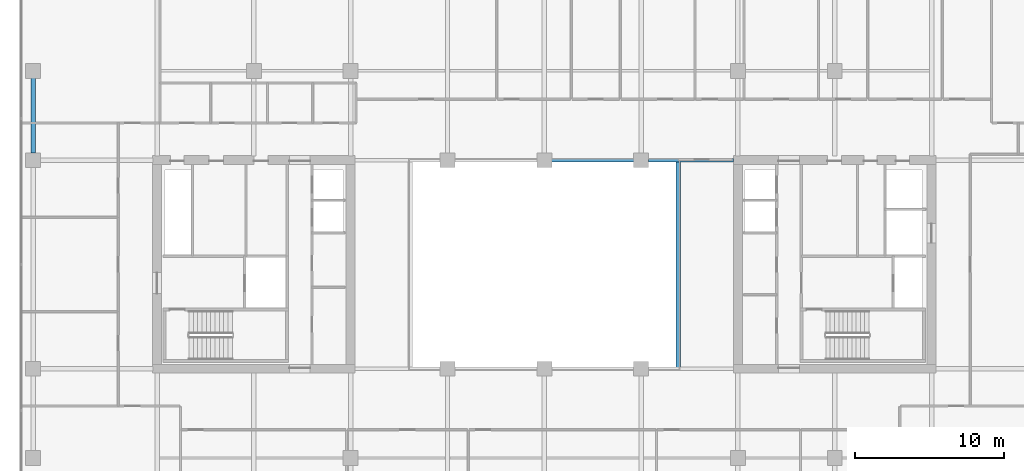
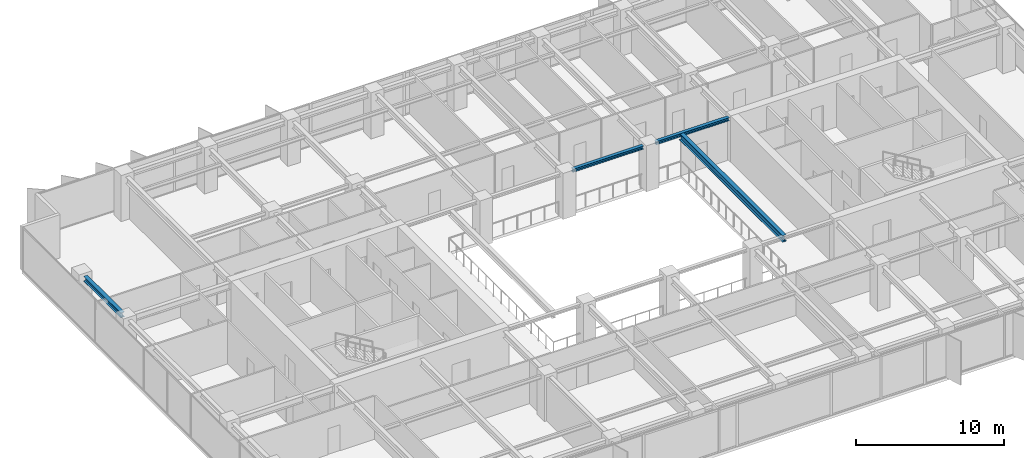
# One storey, part 7 of 22: 4 beams.
"""IFC4 building model written with IfcOpenShell, lengths in metres."""

import ifcopenshell
import ifcopenshell.guid

model = None  # the IFC model being written
_history = None  # IfcOwnerHistory: only IFC2X3 demands one
_inside = {}  # id of a spatial element -> (the spatial element, [elements in it])
_under = {}  # id of a project, library or spatial element -> (it, [spatial elements below it])
_declared = {}  # id of a project -> (the project, [libraries it declares])
_typed = {}  # id of a type object -> (the type object, [elements of that type])
_made_of = {}  # id of a material, layer set ... -> (it, [elements and type objects made of it])


def new_model(schema):
    """Start an empty IFC model of exactly this schema.

    Asked for "IFC4X3", IfcOpenShell would pick the latest addendum, in which some entities
    have other attributes; the version numbers below select the first issue.
    IFC2X3 requires an IfcOwnerHistory on every rooted entity: one is made here for all.
    """
    global model, _history
    if schema == "IFC4X3":
        model = ifcopenshell.file(schema_version=(4, 3, 0, 0))
    else:
        model = ifcopenshell.file(schema=schema)
    _inside.clear()
    _under.clear()
    _declared.clear()
    _typed.clear()
    _made_of.clear()
    _history = None
    if model.schema == "IFC2X3":
        org = make("IfcOrganization", Name="unknown")
        user = make(
            "IfcPersonAndOrganization",
            ThePerson=make("IfcPerson", FamilyName="unknown"),
            TheOrganization=org,
        )
        app = make(
            "IfcApplication",
            ApplicationDeveloper=org,
            Version="unknown",
            ApplicationFullName="unknown",
            ApplicationIdentifier="unknown",
        )
        _history = make(
            "IfcOwnerHistory",
            OwningUser=user,
            OwningApplication=app,
            ChangeAction="ADDED",
            CreationDate=0,
        )
    return model


def make(cls, **values):
    """One entity of the class cls with the attributes given. An attribute that is None is left unset."""
    return model.create_entity(
        cls, **{name: value for name, value in values.items() if value is not None}
    )


def rooted(cls, **values):
    """An entity with a GlobalId (a new one), such as an element, a storey or a relation."""
    return make(cls, GlobalId=ifcopenshell.guid.new(), OwnerHistory=_history, **values)


def si_unit(unit_type, name, prefix=None):
    """IfcSIUnit, for example si_unit("LENGTHUNIT", "METRE", prefix="MILLI")."""
    return make("IfcSIUnit", UnitType=unit_type, Prefix=prefix, Name=name)


def assignment(units):
    """IfcUnitAssignment: the units of a project."""
    return None if units is None else make("IfcUnitAssignment", Units=units)


def point(xyz):
    """IfcCartesianPoint."""
    return None if xyz is None else make("IfcCartesianPoint", Coordinates=xyz)


def direction(xyz):
    """IfcDirection."""
    return None if xyz is None else make("IfcDirection", DirectionRatios=xyz)


def frame(location, z_axis=None, x_axis=None):
    """IfcAxis2Placement3D, a coordinate frame: its origin and axes. An axis left out is left unset."""
    return make(
        "IfcAxis2Placement3D",
        Location=point(location),
        Axis=direction(z_axis),
        RefDirection=direction(x_axis),
    )


def frame_2d(location, x_axis=None):
    """IfcAxis2Placement2D, a coordinate frame in the plane: its origin and x axis."""
    return make(
        "IfcAxis2Placement2D", Location=point(location), RefDirection=direction(x_axis)
    )


def origin():
    """The frame at (0, 0, 0) with its axes left unset."""
    return frame((0.0, 0.0, 0.0))


def origin_2d():
    """The frame at (0, 0) in the plane with its x axis left unset."""
    return frame_2d((0.0, 0.0))


def place(relative_to, where):
    """IfcLocalPlacement: puts the frame where relative to a parent placement (None: the world)."""
    return make(
        "IfcLocalPlacement", PlacementRelTo=relative_to, RelativePlacement=where
    )


def context(
    kind, dimensions, precision=None, world=None, true_north=None, identifier=None
):
    """IfcGeometricRepresentationContext, for example the 3D "Model" context."""
    return make(
        "IfcGeometricRepresentationContext",
        ContextIdentifier=identifier,
        ContextType=kind,
        CoordinateSpaceDimension=dimensions,
        Precision=precision,
        WorldCoordinateSystem=world,
        TrueNorth=true_north,
    )


def subcontext(parent, identifier, kind, view, scale=None):
    """IfcGeometricRepresentationSubContext, for example "Body" below "Model"."""
    return make(
        "IfcGeometricRepresentationSubContext",
        ContextIdentifier=identifier,
        ContextType=kind,
        ParentContext=parent,
        TargetScale=scale,
        TargetView=view,
    )


def project(units=None, contexts=None):
    """IfcProject with its units and contexts."""
    return rooted(
        "IfcProject",
        Name="project",
        RepresentationContexts=contexts,
        UnitsInContext=assignment(units),
    )


def spatial(cls, under=None, at=None, **own):
    """A site, building, storey or space (cls), placed at a placement, below another one or the project."""
    s = rooted(cls, ObjectPlacement=at, **own)
    if under is not None:
        _under.setdefault(under.id(), (under, []))[1].append(s)
    return s


def profile(cls, at=None, kind="AREA", **sizes):
    """A parametric profile (cls). Its sizes go by their IFC names, for example OverallWidth=200.0."""
    return make(cls, ProfileType=kind, Position=at, **sizes)


def i_section(**sizes):
    """IfcIShapeProfileDef."""
    return profile("IfcIShapeProfileDef", **sizes)


def extrude(swept, where, along, depth):
    """IfcExtrudedAreaSolid: the profile swept, set in the frame where, extruded along a direction by depth."""
    return make(
        "IfcExtrudedAreaSolid",
        SweptArea=swept,
        Position=where,
        ExtrudedDirection=direction(along),
        Depth=depth,
    )


def shape(context_of_items, identifier, shape_type, items):
    """IfcShapeRepresentation: the items that make up one representation, for example the "Body"."""
    return make(
        "IfcShapeRepresentation",
        ContextOfItems=context_of_items,
        RepresentationIdentifier=identifier,
        RepresentationType=shape_type,
        Items=items,
    )


def material(Name=None, Category=None):
    """IfcMaterial."""
    return make("IfcMaterial", Name=Name, Category=Category)


def material_profile(
    of_material, cross_section, Name=None, Category=None, Priority=None
):
    """IfcMaterialProfile: a cross section and its material."""
    return make(
        "IfcMaterialProfile",
        Name=Name,
        Material=of_material,
        Profile=cross_section,
        Priority=Priority,
        Category=Category,
    )


def profile_set(profiles, Name=None, composite=None):
    """IfcMaterialProfileSet."""
    return make(
        "IfcMaterialProfileSet",
        Name=Name,
        MaterialProfiles=profiles,
        CompositeProfile=composite,
    )


def made_of(thing, what):
    """Note that an element or type object is made of a material, layer set ...; save() writes the relation."""
    if what is not None:
        _made_of.setdefault(what.id(), (what, []))[1].append(thing)
    return thing


def type_object(cls, material=None, **own):
    """A type object (cls), such as IfcWallType, which elements share."""
    return made_of(rooted(cls, **own), material)


def element(
    cls,
    number,
    at=None,
    inside=None,
    cuts=None,
    type_object=None,
    material=None,
    context=None,
    identifier="Body",
    shape_type=None,
    held_by="IfcProductDefinitionShape",
    body=None,
    shapes=None,
    **own,
):
    """One element of the class cls, such as IfcWall. Its Tag is "e" and its number.

    at: its placement. inside: the storey or other place that contains it. cuts: it is an
    opening in that element (IfcRelVoidsElement). A single representation is given by context,
    identifier, shape_type and body (its items); several are given by shapes. held_by: the class
    of the entity that holds the representations. save() writes the other relations.
    """
    e = rooted(cls, Tag="e%d" % number, ObjectPlacement=at, **own)
    if body is not None:
        shapes = [shape(context, identifier, shape_type, body)]
    if shapes is not None:
        e.Representation = make(held_by, Representations=shapes)
    if inside is not None:
        _inside.setdefault(inside.id(), (inside, []))[1].append(e)
    if cuts is not None:
        rooted(
            "IfcRelVoidsElement", RelatingBuildingElement=cuts, RelatedOpeningElement=e
        )
    if type_object is not None:
        _typed.setdefault(type_object.id(), (type_object, []))[1].append(e)
    return made_of(e, material)


def aggregate(whole, parts):
    """IfcRelAggregates: a whole, such as a stair, and the parts it consists of."""
    return rooted("IfcRelAggregates", RelatingObject=whole, RelatedObjects=parts)


def save(model, path):
    """Write the relations noted so far, then the file.

    IfcRelAggregates (storeys below a building ...), IfcRelContainedInSpatialStructure (elements
    in a storey), IfcRelDefinesByType, IfcRelAssociatesMaterial and IfcRelDeclares: one each for
    every whole, place, type object, material and project.
    """
    for whole, parts in _under.values():
        aggregate(whole, parts)
    for where, things in _inside.values():
        rooted(
            "IfcRelContainedInSpatialStructure",
            RelatedElements=things,
            RelatingStructure=where,
        )
    for kind, things in _typed.values():
        rooted("IfcRelDefinesByType", RelatedObjects=things, RelatingType=kind)
    for what, things in _made_of.values():
        rooted("IfcRelAssociatesMaterial", RelatedObjects=things, RelatingMaterial=what)
    for by, libraries in _declared.values():
        rooted("IfcRelDeclares", RelatingContext=by, RelatedDefinitions=libraries)
    model.write(path)


model = new_model("IFC4")

# Units and contexts
model_context = context("Model", 3, precision=1e-05, world=origin(), true_north=direction((0.0, 1.0)))
body_context = subcontext(model_context, "Body", "Model", "MODEL_VIEW")
ifc_project = project(units=[si_unit("LENGTHUNIT", "METRE"), si_unit("AREAUNIT", "SQUARE_METRE"), si_unit("VOLUMEUNIT", "CUBIC_METRE"), si_unit("PLANEANGLEUNIT", "RADIAN"), si_unit("MASSUNIT", "GRAM", prefix="KILO")], contexts=[model_context])

# Site, building, storey
site_placement = place(None, origin())
site = spatial("IfcSite", under=ifc_project, at=site_placement, CompositionType="ELEMENT")
building_placement = place(site_placement, origin())
building = spatial("IfcBuilding", under=site, at=building_placement, Name="Putna Gate Headquarters", CompositionType="ELEMENT")
storey_placement = place(building_placement, frame((0.0, 0.0, 189.800048828125)))
storey = spatial("IfcBuildingStorey", under=building, at=storey_placement, Name="L47", CompositionType="ELEMENT", Elevation=189.800048828125)

# Beams
ifc_material = material(Name="Steel S355J2", Category="steel")
ifc_material_profile_1 = material_profile(ifc_material, i_section(OverallWidth=0.260009765625, OverallDepth=0.260009765625, WebThickness=0.010009765625, FlangeThickness=0.017578125, at=origin_2d()), Name="Steel S355J2")
ifc_profile_set_1 = profile_set([ifc_material_profile_1], Name="Steel S355J2")
beam_type_1 = type_object("IfcBeamType", Name="BM-ATRIUM-HEB260", PredefinedType="BEAM", material=ifc_profile_set_1)
beam_1_placement = place(storey_placement, frame((39.488037109375, 33.0, 3.44189453125), z_axis=(1.0, 0.0, 0.0), x_axis=(0.0, 1.0, 0.0)))
element("IfcBeam", 1, at=beam_1_placement, inside=storey, type_object=beam_type_1, Name="L47 Atrium Edge Beam AN3", PredefinedType="BEAM", context=body_context, shape_type="SweptSolid", body=[
    extrude(i_section(OverallWidth=0.260009765625, OverallDepth=0.260009765625, WebThickness=0.010009765625, FlangeThickness=0.017578125, at=origin_2d()), origin(), (0.0, 0.0, 1.0), 5.52392578125),
])
beam_2_placement = place(storey_placement, frame((45.988037109375, 33.0, 3.44189453125), z_axis=(1.0, 0.0, 0.0), x_axis=(0.0, 1.0, 0.0)))
element("IfcBeam", 2, at=beam_2_placement, inside=storey, type_object=beam_type_1, Name="L47 Atrium Edge Beam AN4", PredefinedType="BEAM", context=body_context, shape_type="SweptSolid", body=[
    extrude(i_section(OverallWidth=0.260009765625, OverallDepth=0.260009765625, WebThickness=0.010009765625, FlangeThickness=0.017578125, at=origin_2d()), origin(), (0.0, 0.0, 1.0), 5.72705078125),
])
ifc_material_profile_2 = material_profile(ifc_material, i_section(OverallWidth=0.300048828125, OverallDepth=0.550048828125, WebThickness=0.014892578125, FlangeThickness=0.029052734375, at=origin_2d()), Name="Steel S355J2")
ifc_profile_set_2 = profile_set([ifc_material_profile_2], Name="Steel S355J2")
beam_type_2 = type_object("IfcBeamType", Name="BM-GIRD-Z3-HEB550", PredefinedType="USERDEFINED", material=ifc_profile_set_2)
beam_3_placement = place(storey_placement, frame((48.0, 19.010009765625, 3.296875), z_axis=(0.0, 1.0, 0.0), x_axis=(-1.0, 0.0, 0.0)))
element("IfcBeam", 3, at=beam_3_placement, inside=storey, type_object=beam_type_2, Name="L47 Atrium Trim Girder AE", ObjectType="GIRDER", PredefinedType="USERDEFINED", context=body_context, shape_type="SweptSolid", body=[
    extrude(i_section(OverallWidth=0.300048828125, OverallDepth=0.550048828125, WebThickness=0.014892578125, FlangeThickness=0.029052734375, at=origin_2d()), origin(), (0.0, 0.0, 1.0), 13.97998046875),
])
ifc_material_profile_3 = material_profile(ifc_material, i_section(OverallWidth=0.300048828125, OverallDepth=0.39990234375, WebThickness=0.013427734375, FlangeThickness=0.02392578125, at=origin_2d()), Name="Steel S355J2")
ifc_profile_set_3 = profile_set([ifc_material_profile_3], Name="Steel S355J2")
beam_type_3 = type_object("IfcBeamType", Name="BM-SPAN-Z3-HEB400", PredefinedType="SPANDREL", material=ifc_profile_set_3)
beam_4_placement = place(storey_placement, frame((4.679931640625, 33.488037109375, 3.3720703125), z_axis=(0.0, 1.0, 0.0), x_axis=(-1.0, 0.0, 0.0)))
element("IfcBeam", 4, at=beam_4_placement, inside=storey, type_object=beam_type_3, Name="L47 W End Spandrel 3", PredefinedType="SPANDREL", context=body_context, shape_type="SweptSolid", body=[
    extrude(i_section(OverallWidth=0.300048828125, OverallDepth=0.39990234375, WebThickness=0.013427734375, FlangeThickness=0.02392578125, at=origin_2d()), origin(), (0.0, 0.0, 1.0), 5.02392578125),
])

save(model, "model.ifc")
